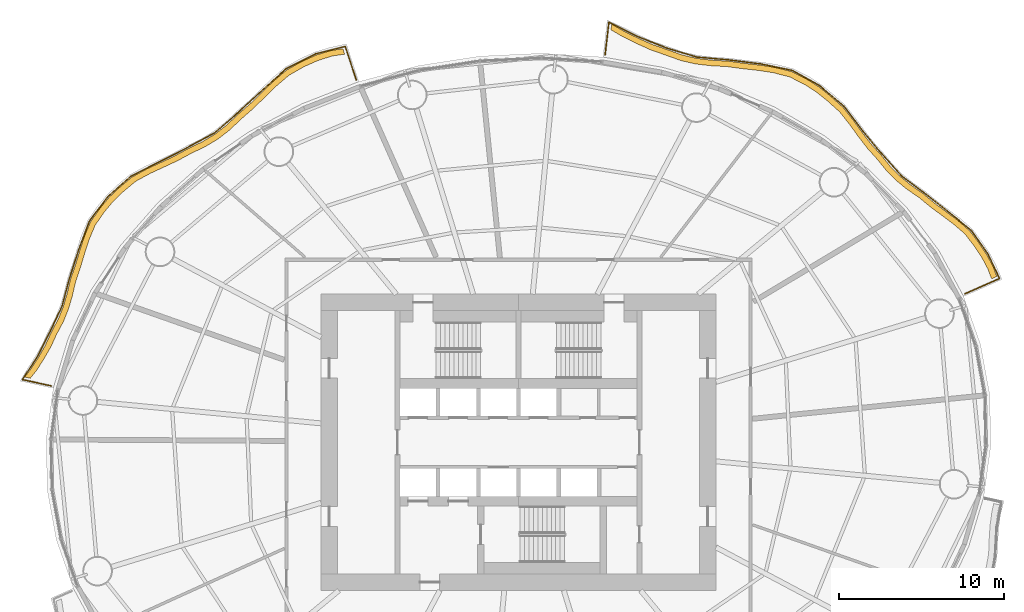
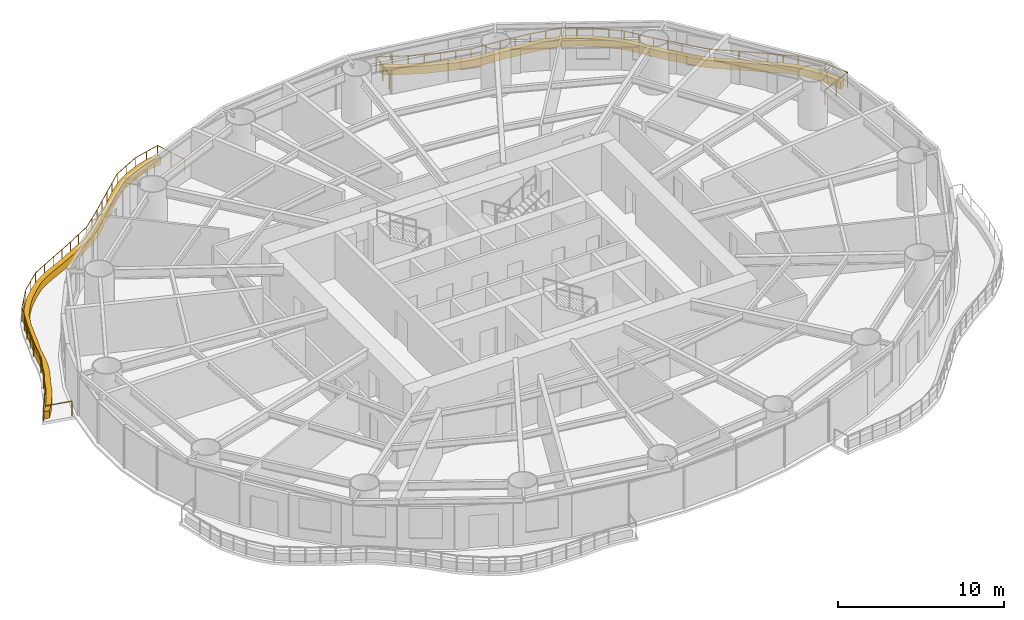
# One storey, part 16 of 16: 2 coverings, 2 railings.
"""IFC4 building model written with IfcOpenShell, lengths in metres."""

from ifc_helpers import new_model, si_unit, direction, frame, origin, origin_2d, place, context, subcontext, project, spatial, polyline, circle, outline, extrude, material, type_object, element, save


model = new_model("IFC4")

# Units and contexts
model_context = context("Model", 3, precision=1e-05, world=origin(), true_north=direction((0.0, 1.0)))
body_context = subcontext(model_context, "Body", "Model", "MODEL_VIEW")
ifc_project = project(units=[si_unit("LENGTHUNIT", "METRE"), si_unit("AREAUNIT", "SQUARE_METRE"), si_unit("VOLUMEUNIT", "CUBIC_METRE"), si_unit("PLANEANGLEUNIT", "RADIAN"), si_unit("MASSUNIT", "GRAM", prefix="KILO")], contexts=[model_context])

# Site, building, storey
site_placement = place(None, origin())
site = spatial("IfcSite", under=ifc_project, at=site_placement, CompositionType="ELEMENT")
building_placement = place(site_placement, origin())
building = spatial("IfcBuilding", under=site, at=building_placement, Name="Vermilion Reach Broadcast Tower", CompositionType="ELEMENT")
storey_placement = place(building_placement, frame((0.0, 0.0, 58.199951171875)))
storey = spatial("IfcBuildingStorey", under=building, at=storey_placement, Name="L11", CompositionType="ELEMENT", Elevation=58.199951171875)

# Coverings
ifc_material_1 = material(Name="Planting soil and greenery")
covering_type = type_object("IfcCoveringType", Name="Balcony PLANTER", PredefinedType="USERDEFINED", material=ifc_material_1)
placement = place(storey_placement, origin())
element("IfcCovering", 1, at=placement, inside=storey, type_object=covering_type, Name="PLANTER L11 group 1", ObjectType="PLANTER", PredefinedType="USERDEFINED", context=body_context, shape_type="SweptSolid", body=[
    extrude(outline(polyline([(23.060302734375, 10.079833984375), (22.817626953125, 10.712890625), (22.4482421875, 11.41162109375), (22.007080078125, 12.072021484375), (21.423828125, 12.843994140625), (20.673828125, 13.497802734375), (19.997802734375, 14.000244140625), (19.320068359375, 14.501220703125), (18.608642578125, 15.093994140625), (17.84130859375, 15.629150390625), (17.195556640625, 16.153564453125), (16.612548828125, 16.740478515625), (16.037353515625, 17.446044921875), (15.404296875, 18.145263671875), (14.868408203125, 18.84326171875), (14.348388671875, 19.562255859375), (13.718017578125, 20.354736328125), (12.95263671875, 21.037841796875), (12.265380859375, 21.590087890625), (11.53125, 22.061279296875), (10.62060546875, 22.51904296875), (9.60400390625, 22.78125), (8.69384765625, 22.919921875), (7.7685546875, 23.0224609375), (6.763916015625, 23.16015625), (5.742919921875, 23.21923828125), (4.82666015625, 23.329345703125), (3.93896484375, 23.53662109375), (3.021484375, 23.866455078125), (2.07568359375, 24.1943359375), (1.204833984375, 24.58740234375), (0.340576171875, 25.01806640625), (-0.3408203125, 25.411376953125), (-0.38134765625, 25.063720703125), (0.281005859375, 24.67333984375), (1.1455078125, 24.242431640625), (2.016357421875, 23.849365234375), (2.942626953125, 23.525390625), (3.841064453125, 23.20068359375), (4.728759765625, 22.993408203125), (5.64501953125, 22.88330078125), (6.646728515625, 22.830322265625), (7.632080078125, 22.7001953125), (8.557373046875, 22.597412109375), (9.467529296875, 22.458984375), (10.464599609375, 22.20556640625), (11.3564453125, 21.758056640625), (12.0908203125, 21.286865234375), (12.778076171875, 20.734375), (13.524169921875, 20.0634765625), (14.13623046875, 19.28369140625), (14.65625, 18.56494140625), (15.192138671875, 17.866943359375), (15.806884765625, 17.1826171875), (16.36474609375, 16.493408203125), (16.94775390625, 15.90625), (17.59375, 15.3818359375), (18.343994140625, 14.864990234375), (19.039794921875, 14.291748046875), (19.7177734375, 13.79052734375), (20.3935546875, 13.2880859375), (21.12890625, 12.65576171875), (21.69873046875, 11.90625), (22.139892578125, 11.245849609375), (22.50927734375, 10.547119140625), (22.740234375, 9.9384765625), (23.060302734375, 10.079833984375)])), origin(), (0.0, 0.0, 1.0), 0.550048828125),
])
element("IfcCovering", 2, at=placement, inside=storey, type_object=covering_type, Name="PLANTER L11 group 2", ObjectType="PLANTER", PredefinedType="USERDEFINED", context=body_context, shape_type="SweptSolid", body=[
    extrude(outline(polyline([(-16.667724609375, 23.914794921875), (-17.424560546875, 23.80029296875), (-18.310791015625, 23.52685546875), (-19.156005859375, 23.1484375), (-20.081787109375, 22.626220703125), (-20.893798828125, 21.94140625), (-21.573486328125, 21.278076171875), (-22.252685546875, 20.614013671875), (-23.016357421875, 19.95263671875), (-23.72705078125, 19.28173828125), (-24.431884765625, 18.732177734375), (-25.1962890625, 18.269287109375), (-26.07861328125, 17.843505859375), (-26.932373046875, 17.378173828125), (-27.755859375, 16.994384765625), (-28.58203125, 16.613525390625), (-29.492919921875, 16.113525390625), (-30.264892578125, 15.471435546875), (-30.880126953125, 14.88134765625), (-31.42431640625, 14.22900390625), (-32.0029296875, 13.3984375), (-32.39208984375, 12.476318359375), (-32.654541015625, 11.657958984375), (-32.900634765625, 10.8291015625), (-33.213623046875, 9.923828125), (-33.428955078125, 9.021484375), (-33.660400390625, 8.23828125), (-33.96484375, 7.489013671875), (-34.382080078125, 6.703369140625), (-34.74658203125, 5.90234375), (-35.14892578125, 5.197998046875), (-35.591796875, 4.505859375), (-36.0048828125, 3.9677734375), (-35.6630859375, 3.89306640625), (-35.256591796875, 4.405029296875), (-34.813720703125, 5.09716796875), (-34.411376953125, 5.801513671875), (-34.055419921875, 6.577880859375), (-33.648193359375, 7.339599609375), (-33.343994140625, 8.088623046875), (-33.1123046875, 8.8720703125), (-32.90869140625, 9.752197265625), (-32.608642578125, 10.63623046875), (-32.3623046875, 11.465087890625), (-32.10009765625, 12.283447265625), (-31.724365234375, 13.186279296875), (-31.160888671875, 13.99853515625), (-30.61669921875, 14.65087890625), (-30.00146484375, 15.240966796875), (-29.24462890625, 15.86669921875), (-28.350341796875, 16.35107421875), (-27.524169921875, 16.732177734375), (-26.70068359375, 17.115966796875), (-25.86328125, 17.5673828125), (-24.998291015625, 17.980712890625), (-24.23388671875, 18.443603515625), (-23.529052734375, 18.9931640625), (-22.83544921875, 19.65283203125), (-22.089599609375, 20.30419921875), (-21.410400390625, 20.968505859375), (-20.730712890625, 21.631591796875), (-19.9365234375, 22.307861328125), (-19.02880859375, 22.822265625), (-18.18359375, 23.20068359375), (-17.29736328125, 23.474365234375), (-16.558837890625, 23.582275390625), (-16.667724609375, 23.914794921875)])), origin(), (0.0, 0.0, 1.0), 0.550048828125),
])

# Railings
ifc_material_2 = material(Name="Stainless steel 316 balustrade", Category="steel")
railing_type = type_object("IfcRailingType", Name="Balcony guard 1100", PredefinedType="BALUSTRADE", material=ifc_material_2)
railing_1_placement = place(storey_placement, frame((21.1259765625, 9.029052734375, 0.0)))
element("IfcRailing", 3, at=railing_1_placement, inside=storey, type_object=railing_type, Name="Balcony guard L11 group 1", PredefinedType="BALUSTRADE", context=body_context, shape_type="SweptSolid", body=[
    extrude(circle(Radius=0.02490234375, at=origin_2d()), frame((0.0, 0.0, 1.0751953125), z_axis=(0.914711372434, 0.404107789012, 0.0), x_axis=(-0.404107789012, 0.914711372434, 0.0)), (0.0, 0.0, 1.0), 2.287841796875),
    extrude(circle(Radius=0.02490234375, at=origin_2d()), frame((2.0927734375, 0.924560546875, 1.0751953125), z_axis=(-0.423945265714, 0.905687811378, 0.0), x_axis=(-0.905687811378, -0.423945265714, 0.0)), (0.0, 0.0, 1.0), 1.651611328125),
    extrude(circle(Radius=0.02490234375, at=origin_2d()), frame((1.392578125, 2.42041015625, 1.0751953125), z_axis=(-0.581355833966, 0.813649429615, 0.0), x_axis=(-0.813649429615, -0.581355833966, 0.0)), (0.0, 0.0, 1.0), 1.766845703125),
    extrude(circle(Radius=0.02490234375, at=origin_2d()), frame((0.365478515625, 3.85791015625, 1.0751953125), z_axis=(-0.776191040262, 0.630497794617, 0.0), x_axis=(-0.630497794617, -0.776191040262, 0.0)), (0.0, 0.0, 1.0), 1.841552734375),
    extrude(circle(Radius=0.02490234375, at=origin_2d()), frame((-1.06396484375, 5.01904296875, 1.0751953125), z_axis=(-0.785280748624, 0.619139843525, 0.0), x_axis=(-0.619139843525, -0.785280748624, 0.0)), (0.0, 0.0, 1.0), 1.773681640625),
    extrude(circle(Radius=0.02490234375, at=origin_2d()), frame((-2.456787109375, 6.1171875, 1.0751953125), z_axis=(-0.799785019365, 0.600286533915, 0.0), x_axis=(-0.600286533915, -0.799785019365, 0.0)), (0.0, 0.0, 1.0), 1.77197265625),
    extrude(circle(Radius=0.02490234375, at=origin_2d()), frame((-3.8740234375, 7.180908203125, 1.0751953125), z_axis=(-0.667483344736, 0.744624727296, 0.0), x_axis=(-0.744624727296, -0.667483344736, 0.0)), (0.0, 0.0, 1.0), 1.74072265625),
    extrude(circle(Radius=0.02490234375, at=origin_2d()), frame((-5.035888671875, 8.47705078125, 1.0751953125), z_axis=(-0.642101044774, 0.766620015588, 0.0), x_axis=(-0.766620015588, -0.642101044774, 0.0)), (0.0, 0.0, 1.0), 1.827392578125),
    extrude(circle(Radius=0.02490234375, at=origin_2d()), frame((-6.209228515625, 9.8779296875, 1.0751953125), z_axis=(-0.606278812622, 0.795252162126, 0.0), x_axis=(-0.795252162126, -0.606278812622, 0.0)), (0.0, 0.0, 1.0), 1.904296875),
    extrude(circle(Radius=0.02490234375, at=origin_2d()), frame((-7.36376953125, 11.392333984375, 1.0751953125), z_axis=(-0.761999180715, 0.647577986493, 0.0), x_axis=(-0.647577986493, -0.761999180715, 0.0)), (0.0, 0.0, 1.0), 1.911865234375),
    extrude(circle(Radius=0.02490234375, at=origin_2d()), frame((-8.820556640625, 12.63037109375, 1.0751953125), z_axis=(-0.870786032769, 0.491662165652, 0.0), x_axis=(-0.491662165652, -0.870786032769, 0.0)), (0.0, 0.0, 1.0), 1.893798828125),
    extrude(circle(Radius=0.02490234375, at=origin_2d()), frame((-10.4697265625, 13.5615234375, 1.0751953125), z_axis=(-0.978928908354, 0.204201352564, 0.0), x_axis=(-0.204201352564, -0.978928908354, 0.0)), (0.0, 0.0, 1.0), 1.97265625),
    extrude(circle(Radius=0.02490234375, at=origin_2d()), frame((-12.40087890625, 13.96435546875, 1.0751953125), z_axis=(-0.99225280908, 0.124235111272, 0.0), x_axis=(-0.124235111272, -0.99225280908, 0.0)), (0.0, 0.0, 1.0), 1.949462890625),
    extrude(circle(Radius=0.02490234375, at=origin_2d()), frame((-14.335205078125, 14.20654296875, 1.0751953125), z_axis=(-0.996159788908, 0.087553840368, 0.0), x_axis=(-0.087553840368, -0.996159788908, 0.0)), (0.0, 0.0, 1.0), 1.94921875),
    extrude(circle(Radius=0.02490234375, at=origin_2d()), frame((-16.27685546875, 14.377197265625, 1.0751953125), z_axis=(-0.9585210795, 0.285021648572, 0.0), x_axis=(-0.285021648572, -0.9585210795, 0.0)), (0.0, 0.0, 1.0), 1.887939453125),
    extrude(circle(Radius=0.02490234375, at=origin_2d()), frame((-18.08642578125, 14.915283203125, 1.0751953125), z_axis=(-0.929615450781, 0.368531021311, 0.0), x_axis=(-0.368531021311, -0.929615450781, 0.0)), (0.0, 0.0, 1.0), 1.958984375),
    extrude(circle(Radius=0.02490234375, at=origin_2d()), frame((-19.907470703125, 15.63720703125, 1.0751953125), z_axis=(-0.896243651344, 0.443562078435, 0.0), x_axis=(-0.443562078435, -0.896243651344, 0.0)), (0.0, 0.0, 1.0), 1.927490234375),
    extrude(circle(Radius=0.02490234375, at=origin_2d()), frame((-21.635009765625, 16.4921875, 1.0751953125), z_axis=(-0.115576708777, -0.993298557529, 0.0), x_axis=(0.993298557529, -0.115576708777, 0.0)), (0.0, 0.0, 1.0), 1.994140625),
    extrude(circle(Radius=0.02490234375, at=origin_2d()), origin(), (0.0, 0.0, 1.0), 1.050048828125),
    extrude(circle(Radius=0.02490234375, at=origin_2d()), frame((1.04638671875, 0.46240234375, 0.0)), (0.0, 0.0, 1.0), 1.050048828125),
    extrude(circle(Radius=0.02490234375, at=origin_2d()), frame((2.0927734375, 0.924560546875, 0.0)), (0.0, 0.0, 1.0), 1.050048828125),
    extrude(circle(Radius=0.02490234375, at=origin_2d()), frame((1.392578125, 2.42041015625, 0.0)), (0.0, 0.0, 1.0), 1.050048828125),
    extrude(circle(Radius=0.02490234375, at=origin_2d()), frame((0.365478515625, 3.85791015625, 0.0)), (0.0, 0.0, 1.0), 1.050048828125),
    extrude(circle(Radius=0.02490234375, at=origin_2d()), frame((-0.34912109375, 4.4384765625, 0.0)), (0.0, 0.0, 1.0), 1.050048828125),
    extrude(circle(Radius=0.02490234375, at=origin_2d()), frame((-1.06396484375, 5.01904296875, 0.0)), (0.0, 0.0, 1.0), 1.050048828125),
    extrude(circle(Radius=0.02490234375, at=origin_2d()), frame((-2.456787109375, 6.1171875, 0.0)), (0.0, 0.0, 1.0), 1.050048828125),
    extrude(circle(Radius=0.02490234375, at=origin_2d()), frame((-3.8740234375, 7.180908203125, 0.0)), (0.0, 0.0, 1.0), 1.050048828125),
    extrude(circle(Radius=0.02490234375, at=origin_2d()), frame((-5.035888671875, 8.47705078125, 0.0)), (0.0, 0.0, 1.0), 1.050048828125),
    extrude(circle(Radius=0.02490234375, at=origin_2d()), frame((-5.62255859375, 9.177490234375, 0.0)), (0.0, 0.0, 1.0), 1.050048828125),
    extrude(circle(Radius=0.02490234375, at=origin_2d()), frame((-6.209228515625, 9.8779296875, 0.0)), (0.0, 0.0, 1.0), 1.050048828125),
    extrude(circle(Radius=0.02490234375, at=origin_2d()), frame((-6.78662109375, 10.63525390625, 0.0)), (0.0, 0.0, 1.0), 1.050048828125),
    extrude(circle(Radius=0.02490234375, at=origin_2d()), frame((-7.36376953125, 11.392333984375, 0.0)), (0.0, 0.0, 1.0), 1.050048828125),
    extrude(circle(Radius=0.02490234375, at=origin_2d()), frame((-8.09228515625, 12.01123046875, 0.0)), (0.0, 0.0, 1.0), 1.050048828125),
    extrude(circle(Radius=0.02490234375, at=origin_2d()), frame((-8.820556640625, 12.63037109375, 0.0)), (0.0, 0.0, 1.0), 1.050048828125),
    extrude(circle(Radius=0.02490234375, at=origin_2d()), frame((-9.64501953125, 13.095947265625, 0.0)), (0.0, 0.0, 1.0), 1.050048828125),
    extrude(circle(Radius=0.02490234375, at=origin_2d()), frame((-10.4697265625, 13.5615234375, 0.0)), (0.0, 0.0, 1.0), 1.050048828125),
    extrude(circle(Radius=0.02490234375, at=origin_2d()), frame((-11.435302734375, 13.762939453125, 0.0)), (0.0, 0.0, 1.0), 1.050048828125),
    extrude(circle(Radius=0.02490234375, at=origin_2d()), frame((-12.40087890625, 13.96435546875, 0.0)), (0.0, 0.0, 1.0), 1.050048828125),
    extrude(circle(Radius=0.02490234375, at=origin_2d()), frame((-13.3681640625, 14.08544921875, 0.0)), (0.0, 0.0, 1.0), 1.050048828125),
    extrude(circle(Radius=0.02490234375, at=origin_2d()), frame((-14.335205078125, 14.20654296875, 0.0)), (0.0, 0.0, 1.0), 1.050048828125),
    extrude(circle(Radius=0.02490234375, at=origin_2d()), frame((-15.30615234375, 14.2919921875, 0.0)), (0.0, 0.0, 1.0), 1.050048828125),
    extrude(circle(Radius=0.02490234375, at=origin_2d()), frame((-16.27685546875, 14.377197265625, 0.0)), (0.0, 0.0, 1.0), 1.050048828125),
    extrude(circle(Radius=0.02490234375, at=origin_2d()), frame((-17.181640625, 14.646240234375, 0.0)), (0.0, 0.0, 1.0), 1.050048828125),
    extrude(circle(Radius=0.02490234375, at=origin_2d()), frame((-18.08642578125, 14.915283203125, 0.0)), (0.0, 0.0, 1.0), 1.050048828125),
    extrude(circle(Radius=0.02490234375, at=origin_2d()), frame((-18.9970703125, 15.2763671875, 0.0)), (0.0, 0.0, 1.0), 1.050048828125),
    extrude(circle(Radius=0.02490234375, at=origin_2d()), frame((-19.907470703125, 15.63720703125, 0.0)), (0.0, 0.0, 1.0), 1.050048828125),
    extrude(circle(Radius=0.02490234375, at=origin_2d()), frame((-20.771240234375, 16.064697265625, 0.0)), (0.0, 0.0, 1.0), 1.050048828125),
    extrude(circle(Radius=0.02490234375, at=origin_2d()), frame((-21.635009765625, 16.4921875, 0.0)), (0.0, 0.0, 1.0), 1.050048828125),
    extrude(circle(Radius=0.02490234375, at=origin_2d()), frame((-21.750244140625, 15.501953125, 0.0)), (0.0, 0.0, 1.0), 1.050048828125),
    extrude(circle(Radius=0.02490234375, at=origin_2d()), frame((-21.865478515625, 14.511474609375, 0.0)), (0.0, 0.0, 1.0), 1.050048828125),
])
railing_2_placement = place(storey_placement, frame((-15.855712890625, 22.015869140625, 0.0)))
element("IfcRailing", 4, at=railing_2_placement, inside=storey, type_object=railing_type, Name="Balcony guard L11 group 2", PredefinedType="BALUSTRADE", context=body_context, shape_type="SweptSolid", body=[
    extrude(circle(Radius=0.02490234375, at=origin_2d()), frame((0.0, 0.0, 1.0751953125), z_axis=(-0.311755983384, 0.950162200271, 0.0), x_axis=(-0.950162200271, -0.311755983384, 0.0)), (0.0, 0.0, 1.0), 2.147216796875),
    extrude(circle(Radius=0.02490234375, at=origin_2d()), frame((-0.66943359375, 2.040283203125, 1.0751953125), z_axis=(-0.969996473293, -0.243118986916, 0.0), x_axis=(0.243118986916, -0.969996473293, 0.0)), (0.0, 0.0, 1.0), 1.870849609375),
    extrude(circle(Radius=0.02490234375, at=origin_2d()), frame((-2.484130859375, 1.58544921875, 1.0751953125), z_axis=(-0.891440533803, -0.453137699483, 0.0), x_axis=(0.453137699483, -0.891440533803, 0.0)), (0.0, 0.0, 1.0), 1.9912109375),
    extrude(circle(Radius=0.02490234375, at=origin_2d()), frame((-4.25927734375, 0.68310546875, 1.0751953125), z_axis=(-0.742347551713, -0.670015009135, 0.0), x_axis=(0.670015009135, -0.742347551713, 0.0)), (0.0, 0.0, 1.0), 2.01513671875),
    extrude(circle(Radius=0.02490234375, at=origin_2d()), frame((-5.755126953125, -0.6669921875, 1.0751953125), z_axis=(-0.736730832485, -0.676186128567, 0.0), x_axis=(0.676186128567, -0.736730832485, 0.0)), (0.0, 0.0, 1.0), 1.9638671875),
    extrude(circle(Radius=0.02490234375, at=origin_2d()), frame((-7.201904296875, -1.994873046875, 1.0751953125), z_axis=(-0.757663205877, -0.652645743463, 0.0), x_axis=(0.652645743463, -0.757663205877, 0.0)), (0.0, 0.0, 1.0), 1.873779296875),
    extrude(circle(Radius=0.02490234375, at=origin_2d()), frame((-8.62158203125, -3.2177734375, 1.0751953125), z_axis=(-0.879847718757, -0.47525571201, 0.0), x_axis=(0.47525571201, -0.879847718757, 0.0)), (0.0, 0.0, 1.0), 1.8759765625),
    extrude(circle(Radius=0.02490234375, at=origin_2d()), frame((-10.272216796875, -4.109375, 1.0751953125), z_axis=(-0.891952191919, -0.452129724008, 0.0), x_axis=(0.452129724008, -0.891952191919, 0.0)), (0.0, 0.0, 1.0), 1.884521484375),
    extrude(circle(Radius=0.02490234375, at=origin_2d()), frame((-11.953125, -4.96142578125, 1.0751953125), z_axis=(-0.891507536613, -0.453005863275, 0.0), x_axis=(0.453005863275, -0.891507536613, 0.0)), (0.0, 0.0, 1.0), 1.95263671875),
    extrude(circle(Radius=0.02490234375, at=origin_2d()), frame((-13.69384765625, -5.845947265625, 1.0751953125), z_axis=(-0.747539615728, -0.6642172257, 0.0), x_axis=(0.6642172257, -0.747539615728, 0.0)), (0.0, 0.0, 1.0), 1.860595703125),
    extrude(circle(Radius=0.02490234375, at=origin_2d()), frame((-15.084716796875, -7.081787109375, 1.0751953125), z_axis=(-0.603658587022, -0.797242943095, 0.0), x_axis=(0.797242943095, -0.603658587022, 0.0)), (0.0, 0.0, 1.0), 1.865234375),
    extrude(circle(Radius=0.02490234375, at=origin_2d()), frame((-16.210693359375, -8.56884765625, 1.0751953125), z_axis=(-0.35133877279, -0.936248400124, 0.0), x_axis=(0.936248400124, -0.35133877279, 0.0)), (0.0, 0.0, 1.0), 1.86376953125),
    extrude(circle(Radius=0.02490234375, at=origin_2d()), frame((-16.865478515625, -10.313720703125, 1.0751953125), z_axis=(-0.307638893096, -0.951503185205, 0.0), x_axis=(0.951503185205, -0.307638893096, 0.0)), (0.0, 0.0, 1.0), 1.82763671875),
    extrude(circle(Radius=0.02490234375, at=origin_2d()), frame((-17.427734375, -12.052734375, 1.0751953125), z_axis=(-0.256889608202, -0.966440753072, 0.0), x_axis=(0.966440753072, -0.256889608202, 0.0)), (0.0, 0.0, 1.0), 1.749755859375),
    extrude(circle(Radius=0.02490234375, at=origin_2d()), frame((-17.877197265625, -13.74365234375, 1.0751953125), z_axis=(-0.425334115407, -0.905036402733, 0.0), x_axis=(0.905036402733, -0.425334115407, 0.0)), (0.0, 0.0, 1.0), 1.701904296875),
    extrude(circle(Radius=0.02490234375, at=origin_2d()), frame((-18.60107421875, -15.283935546875, 1.0751953125), z_axis=(-0.453481327052, -0.891265777429, 0.0), x_axis=(0.891265777429, -0.453481327052, 0.0)), (0.0, 0.0, 1.0), 1.6953125),
    extrude(circle(Radius=0.02490234375, at=origin_2d()), frame((-19.369873046875, -16.794921875, 1.0751953125), z_axis=(-0.542375582093, -0.840136136557, 0.0), x_axis=(0.840136136557, -0.542375582093, 0.0)), (0.0, 0.0, 1.0), 1.6767578125),
    extrude(circle(Radius=0.02490234375, at=origin_2d()), frame((-20.279296875, -18.20361328125, 1.0751953125), z_axis=(0.977012668396, -0.213181251039, 0.0), x_axis=(0.213181251039, 0.977012668396, 0.0)), (0.0, 0.0, 1.0), 1.79345703125),
    extrude(circle(Radius=0.02490234375, at=origin_2d()), origin(), (0.0, 0.0, 1.0), 1.050048828125),
    extrude(circle(Radius=0.02490234375, at=origin_2d()), frame((-0.334716796875, 1.02001953125, 0.0)), (0.0, 0.0, 1.0), 1.050048828125),
    extrude(circle(Radius=0.02490234375, at=origin_2d()), frame((-0.66943359375, 2.040283203125, 0.0)), (0.0, 0.0, 1.0), 1.050048828125),
    extrude(circle(Radius=0.02490234375, at=origin_2d()), frame((-1.57666015625, 1.81298828125, 0.0)), (0.0, 0.0, 1.0), 1.050048828125),
    extrude(circle(Radius=0.02490234375, at=origin_2d()), frame((-2.484130859375, 1.58544921875, 0.0)), (0.0, 0.0, 1.0), 1.050048828125),
    extrude(circle(Radius=0.02490234375, at=origin_2d()), frame((-3.37158203125, 1.13427734375, 0.0)), (0.0, 0.0, 1.0), 1.050048828125),
    extrude(circle(Radius=0.02490234375, at=origin_2d()), frame((-4.25927734375, 0.68310546875, 0.0)), (0.0, 0.0, 1.0), 1.050048828125),
    extrude(circle(Radius=0.02490234375, at=origin_2d()), frame((-5.00732421875, 0.008056640625, 0.0)), (0.0, 0.0, 1.0), 1.050048828125),
    extrude(circle(Radius=0.02490234375, at=origin_2d()), frame((-5.755126953125, -0.6669921875, 0.0)), (0.0, 0.0, 1.0), 1.050048828125),
    extrude(circle(Radius=0.02490234375, at=origin_2d()), frame((-6.478515625, -1.3310546875, 0.0)), (0.0, 0.0, 1.0), 1.050048828125),
    extrude(circle(Radius=0.02490234375, at=origin_2d()), frame((-7.201904296875, -1.994873046875, 0.0)), (0.0, 0.0, 1.0), 1.050048828125),
    extrude(circle(Radius=0.02490234375, at=origin_2d()), frame((-7.91162109375, -2.6064453125, 0.0)), (0.0, 0.0, 1.0), 1.050048828125),
    extrude(circle(Radius=0.02490234375, at=origin_2d()), frame((-8.62158203125, -3.2177734375, 0.0)), (0.0, 0.0, 1.0), 1.050048828125),
    extrude(circle(Radius=0.02490234375, at=origin_2d()), frame((-9.44677734375, -3.66357421875, 0.0)), (0.0, 0.0, 1.0), 1.050048828125),
    extrude(circle(Radius=0.02490234375, at=origin_2d()), frame((-10.272216796875, -4.109375, 0.0)), (0.0, 0.0, 1.0), 1.050048828125),
    extrude(circle(Radius=0.02490234375, at=origin_2d()), frame((-11.11279296875, -4.535400390625, 0.0)), (0.0, 0.0, 1.0), 1.050048828125),
    extrude(circle(Radius=0.02490234375, at=origin_2d()), frame((-11.953125, -4.96142578125, 0.0)), (0.0, 0.0, 1.0), 1.050048828125),
    extrude(circle(Radius=0.02490234375, at=origin_2d()), frame((-12.823486328125, -5.40380859375, 0.0)), (0.0, 0.0, 1.0), 1.050048828125),
    extrude(circle(Radius=0.02490234375, at=origin_2d()), frame((-13.69384765625, -5.845947265625, 0.0)), (0.0, 0.0, 1.0), 1.050048828125),
    extrude(circle(Radius=0.02490234375, at=origin_2d()), frame((-14.38916015625, -6.4638671875, 0.0)), (0.0, 0.0, 1.0), 1.050048828125),
    extrude(circle(Radius=0.02490234375, at=origin_2d()), frame((-15.084716796875, -7.081787109375, 0.0)), (0.0, 0.0, 1.0), 1.050048828125),
    extrude(circle(Radius=0.02490234375, at=origin_2d()), frame((-15.647705078125, -7.8251953125, 0.0)), (0.0, 0.0, 1.0), 1.050048828125),
    extrude(circle(Radius=0.02490234375, at=origin_2d()), frame((-16.210693359375, -8.56884765625, 0.0)), (0.0, 0.0, 1.0), 1.050048828125),
    extrude(circle(Radius=0.02490234375, at=origin_2d()), frame((-16.5380859375, -9.44140625, 0.0)), (0.0, 0.0, 1.0), 1.050048828125),
    extrude(circle(Radius=0.02490234375, at=origin_2d()), frame((-16.865478515625, -10.313720703125, 0.0)), (0.0, 0.0, 1.0), 1.050048828125),
    extrude(circle(Radius=0.02490234375, at=origin_2d()), frame((-17.146484375, -11.18310546875, 0.0)), (0.0, 0.0, 1.0), 1.050048828125),
    extrude(circle(Radius=0.02490234375, at=origin_2d()), frame((-17.427734375, -12.052734375, 0.0)), (0.0, 0.0, 1.0), 1.050048828125),
    extrude(circle(Radius=0.02490234375, at=origin_2d()), frame((-17.877197265625, -13.74365234375, 0.0)), (0.0, 0.0, 1.0), 1.050048828125),
    extrude(circle(Radius=0.02490234375, at=origin_2d()), frame((-18.60107421875, -15.283935546875, 0.0)), (0.0, 0.0, 1.0), 1.050048828125),
    extrude(circle(Radius=0.02490234375, at=origin_2d()), frame((-19.369873046875, -16.794921875, 0.0)), (0.0, 0.0, 1.0), 1.050048828125),
    extrude(circle(Radius=0.02490234375, at=origin_2d()), frame((-20.279296875, -18.20361328125, 0.0)), (0.0, 0.0, 1.0), 1.050048828125),
    extrude(circle(Radius=0.02490234375, at=origin_2d()), frame((-18.527099609375, -18.5859375, 0.0)), (0.0, 0.0, 1.0), 1.050048828125),
])

save(model, "model.ifc")
